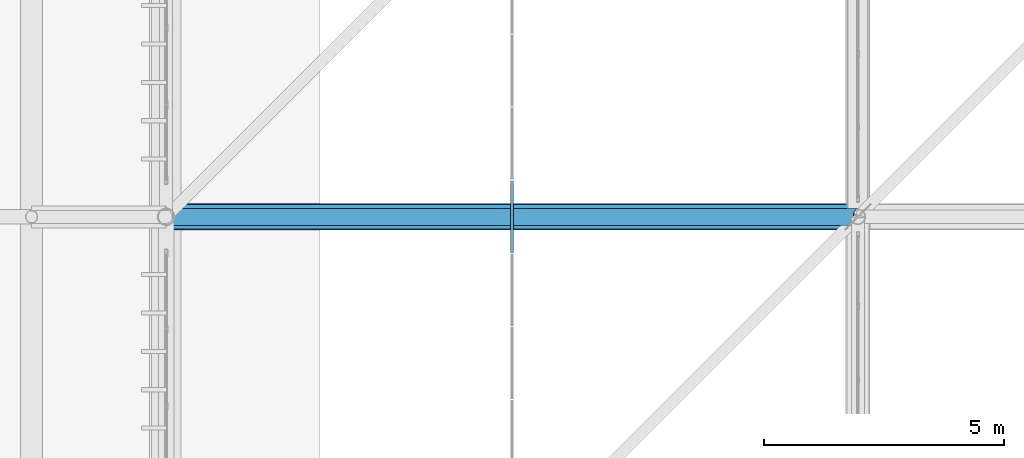
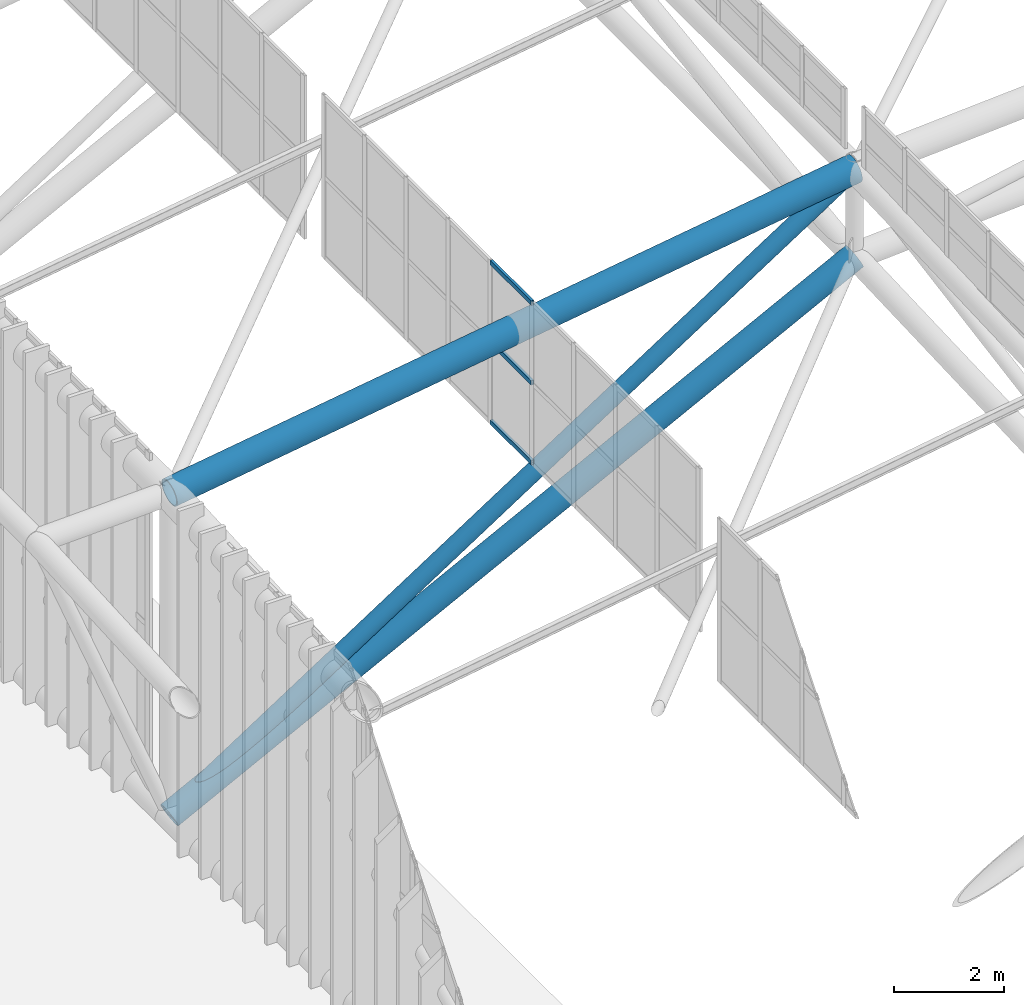
# One storey, part 72 of 397: 4 members, 2 beams, 1 element without a shape of its own.
"""IFC4 building model written with IfcOpenShell, lengths in metres."""

import ifcopenshell
import ifcopenshell.guid

model = None  # the IFC model being written
_history = None  # IfcOwnerHistory: only IFC2X3 demands one
_inside = {}  # id of a spatial element -> (the spatial element, [elements in it])
_under = {}  # id of a project, library or spatial element -> (it, [spatial elements below it])
_declared = {}  # id of a project -> (the project, [libraries it declares])
_typed = {}  # id of a type object -> (the type object, [elements of that type])
_made_of = {}  # id of a material, layer set ... -> (it, [elements and type objects made of it])


def new_model(schema):
    """Start an empty IFC model of exactly this schema.

    Asked for "IFC4X3", IfcOpenShell would pick the latest addendum, in which some entities
    have other attributes; the version numbers below select the first issue.
    IFC2X3 requires an IfcOwnerHistory on every rooted entity: one is made here for all.
    """
    global model, _history
    if schema == "IFC4X3":
        model = ifcopenshell.file(schema_version=(4, 3, 0, 0))
    else:
        model = ifcopenshell.file(schema=schema)
    _inside.clear()
    _under.clear()
    _declared.clear()
    _typed.clear()
    _made_of.clear()
    _history = None
    if model.schema == "IFC2X3":
        org = make("IfcOrganization", Name="unknown")
        user = make(
            "IfcPersonAndOrganization",
            ThePerson=make("IfcPerson", FamilyName="unknown"),
            TheOrganization=org,
        )
        app = make(
            "IfcApplication",
            ApplicationDeveloper=org,
            Version="unknown",
            ApplicationFullName="unknown",
            ApplicationIdentifier="unknown",
        )
        _history = make(
            "IfcOwnerHistory",
            OwningUser=user,
            OwningApplication=app,
            ChangeAction="ADDED",
            CreationDate=0,
        )
    return model


def make(cls, **values):
    """One entity of the class cls with the attributes given. An attribute that is None is left unset."""
    return model.create_entity(
        cls, **{name: value for name, value in values.items() if value is not None}
    )


def rooted(cls, **values):
    """An entity with a GlobalId (a new one), such as an element, a storey or a relation."""
    return make(cls, GlobalId=ifcopenshell.guid.new(), OwnerHistory=_history, **values)


def si_unit(unit_type, name, prefix=None):
    """IfcSIUnit, for example si_unit("LENGTHUNIT", "METRE", prefix="MILLI")."""
    return make("IfcSIUnit", UnitType=unit_type, Prefix=prefix, Name=name)


def assignment(units):
    """IfcUnitAssignment: the units of a project."""
    return None if units is None else make("IfcUnitAssignment", Units=units)


def point(xyz):
    """IfcCartesianPoint."""
    return None if xyz is None else make("IfcCartesianPoint", Coordinates=xyz)


def direction(xyz):
    """IfcDirection."""
    return None if xyz is None else make("IfcDirection", DirectionRatios=xyz)


def frame(location, z_axis=None, x_axis=None):
    """IfcAxis2Placement3D, a coordinate frame: its origin and axes. An axis left out is left unset."""
    return make(
        "IfcAxis2Placement3D",
        Location=point(location),
        Axis=direction(z_axis),
        RefDirection=direction(x_axis),
    )


def frame_2d(location, x_axis=None):
    """IfcAxis2Placement2D, a coordinate frame in the plane: its origin and x axis."""
    return make(
        "IfcAxis2Placement2D", Location=point(location), RefDirection=direction(x_axis)
    )


def origin():
    """The frame at (0, 0, 0) with its axes left unset."""
    return frame((0.0, 0.0, 0.0))


def origin_2d():
    """The frame at (0, 0) in the plane with its x axis left unset."""
    return frame_2d((0.0, 0.0))


def place(relative_to, where):
    """IfcLocalPlacement: puts the frame where relative to a parent placement (None: the world)."""
    return make(
        "IfcLocalPlacement", PlacementRelTo=relative_to, RelativePlacement=where
    )


def context(
    kind, dimensions, precision=None, world=None, true_north=None, identifier=None
):
    """IfcGeometricRepresentationContext, for example the 3D "Model" context."""
    return make(
        "IfcGeometricRepresentationContext",
        ContextIdentifier=identifier,
        ContextType=kind,
        CoordinateSpaceDimension=dimensions,
        Precision=precision,
        WorldCoordinateSystem=world,
        TrueNorth=true_north,
    )


def subcontext(parent, identifier, kind, view, scale=None):
    """IfcGeometricRepresentationSubContext, for example "Body" below "Model"."""
    return make(
        "IfcGeometricRepresentationSubContext",
        ContextIdentifier=identifier,
        ContextType=kind,
        ParentContext=parent,
        TargetScale=scale,
        TargetView=view,
    )


def project(units=None, contexts=None):
    """IfcProject with its units and contexts."""
    return rooted(
        "IfcProject",
        Name="project",
        RepresentationContexts=contexts,
        UnitsInContext=assignment(units),
    )


def spatial(cls, under=None, at=None, **own):
    """A site, building, storey or space (cls), placed at a placement, below another one or the project."""
    s = rooted(cls, ObjectPlacement=at, **own)
    if under is not None:
        _under.setdefault(under.id(), (under, []))[1].append(s)
    return s


def profile(cls, at=None, kind="AREA", **sizes):
    """A parametric profile (cls). Its sizes go by their IFC names, for example OverallWidth=200.0."""
    return make(cls, ProfileType=kind, Position=at, **sizes)


def hollow_rectangle(**sizes):
    """IfcRectangleHollowProfileDef."""
    return profile("IfcRectangleHollowProfileDef", **sizes)


def hollow_circle(**sizes):
    """IfcCircleHollowProfileDef."""
    return profile("IfcCircleHollowProfileDef", **sizes)


def extrude(swept, where, along, depth):
    """IfcExtrudedAreaSolid: the profile swept, set in the frame where, extruded along a direction by depth."""
    return make(
        "IfcExtrudedAreaSolid",
        SweptArea=swept,
        Position=where,
        ExtrudedDirection=direction(along),
        Depth=depth,
    )


def shape(context_of_items, identifier, shape_type, items):
    """IfcShapeRepresentation: the items that make up one representation, for example the "Body"."""
    return make(
        "IfcShapeRepresentation",
        ContextOfItems=context_of_items,
        RepresentationIdentifier=identifier,
        RepresentationType=shape_type,
        Items=items,
    )


def material(Name=None, Category=None):
    """IfcMaterial."""
    return make("IfcMaterial", Name=Name, Category=Category)


def material_profile(
    of_material, cross_section, Name=None, Category=None, Priority=None
):
    """IfcMaterialProfile: a cross section and its material."""
    return make(
        "IfcMaterialProfile",
        Name=Name,
        Material=of_material,
        Profile=cross_section,
        Priority=Priority,
        Category=Category,
    )


def profile_set(profiles, Name=None, composite=None):
    """IfcMaterialProfileSet."""
    return make(
        "IfcMaterialProfileSet",
        Name=Name,
        MaterialProfiles=profiles,
        CompositeProfile=composite,
    )


def made_of(thing, what):
    """Note that an element or type object is made of a material, layer set ...; save() writes the relation."""
    if what is not None:
        _made_of.setdefault(what.id(), (what, []))[1].append(thing)
    return thing


def type_object(cls, material=None, **own):
    """A type object (cls), such as IfcWallType, which elements share."""
    return made_of(rooted(cls, **own), material)


def element(
    cls,
    number,
    at=None,
    inside=None,
    cuts=None,
    type_object=None,
    material=None,
    context=None,
    identifier="Body",
    shape_type=None,
    held_by="IfcProductDefinitionShape",
    body=None,
    shapes=None,
    **own,
):
    """One element of the class cls, such as IfcWall. Its Tag is "e" and its number.

    at: its placement. inside: the storey or other place that contains it. cuts: it is an
    opening in that element (IfcRelVoidsElement). A single representation is given by context,
    identifier, shape_type and body (its items); several are given by shapes. held_by: the class
    of the entity that holds the representations. save() writes the other relations.
    """
    e = rooted(cls, Tag="e%d" % number, ObjectPlacement=at, **own)
    if body is not None:
        shapes = [shape(context, identifier, shape_type, body)]
    if shapes is not None:
        e.Representation = make(held_by, Representations=shapes)
    if inside is not None:
        _inside.setdefault(inside.id(), (inside, []))[1].append(e)
    if cuts is not None:
        rooted(
            "IfcRelVoidsElement", RelatingBuildingElement=cuts, RelatedOpeningElement=e
        )
    if type_object is not None:
        _typed.setdefault(type_object.id(), (type_object, []))[1].append(e)
    return made_of(e, material)


def aggregate(whole, parts):
    """IfcRelAggregates: a whole, such as a stair, and the parts it consists of."""
    return rooted("IfcRelAggregates", RelatingObject=whole, RelatedObjects=parts)


def save(model, path):
    """Write the relations noted so far, then the file.

    IfcRelAggregates (storeys below a building ...), IfcRelContainedInSpatialStructure (elements
    in a storey), IfcRelDefinesByType, IfcRelAssociatesMaterial and IfcRelDeclares: one each for
    every whole, place, type object, material and project.
    """
    for whole, parts in _under.values():
        aggregate(whole, parts)
    for where, things in _inside.values():
        rooted(
            "IfcRelContainedInSpatialStructure",
            RelatedElements=things,
            RelatingStructure=where,
        )
    for kind, things in _typed.values():
        rooted("IfcRelDefinesByType", RelatedObjects=things, RelatingType=kind)
    for what, things in _made_of.values():
        rooted("IfcRelAssociatesMaterial", RelatedObjects=things, RelatingMaterial=what)
    for by, libraries in _declared.values():
        rooted("IfcRelDeclares", RelatingContext=by, RelatedDefinitions=libraries)
    model.write(path)


model = new_model("IFC4")

# Units and contexts
model_context = context("Model", 3, precision=1e-05, world=origin(), true_north=direction((0.0, 1.0)))
body_context = subcontext(model_context, "Body", "Model", "MODEL_VIEW")
ifc_project = project(units=[si_unit("LENGTHUNIT", "METRE"), si_unit("AREAUNIT", "SQUARE_METRE"), si_unit("VOLUMEUNIT", "CUBIC_METRE"), si_unit("PLANEANGLEUNIT", "RADIAN"), si_unit("MASSUNIT", "GRAM", prefix="KILO")], contexts=[model_context])

# Site, building, storey
site_placement = place(None, origin())
site = spatial("IfcSite", under=ifc_project, at=site_placement, CompositionType="ELEMENT")
building_placement = place(site_placement, origin())
building = spatial("IfcBuilding", under=site, at=building_placement, Name="Qandorah Velis Arena", CompositionType="ELEMENT")
storey_placement = place(building_placement, frame((0.0, 0.0, 27.5)))
storey = spatial("IfcBuildingStorey", under=building, at=storey_placement, Name="RF", CompositionType="ELEMENT", Elevation=27.5)

# Curtain wall, members
ifc_material_1 = material(Name="Solar-control low-E double glazing", Category="glass")
curtain_wall_type = type_object("IfcCurtainWallType", Name="ARC-CW-SYS09", PredefinedType="USERDEFINED", material=ifc_material_1)
curtain_wall_placement = place(storey_placement, origin())
curtain_wall = element("IfcCurtainWall", 1, at=curtain_wall_placement, inside=storey, type_object=curtain_wall_type, Name="Unitised curtain wall MON-1-3", ObjectType="UNITISED CURTAIN WALL", PredefinedType="USERDEFINED")
ifc_material_2 = material(Name="Champagne-bronze anodized aluminium 6063-T6", Category="aluminium")
ifc_material_profile_1 = material_profile(ifc_material_2, hollow_rectangle(XDim=0.054931640625, YDim=0.10009765625, WallThickness=0.0029296875, at=origin_2d()), Name="ALU TRANSOM 55x100")
ifc_profile_set_1 = profile_set([ifc_material_profile_1], Name="Champagne-bronze anodized aluminium 6063-T6")
member_type_1 = type_object("IfcMemberType", Name="ARC-CWT-100", PredefinedType="USERDEFINED", material=ifc_profile_set_1)
member_1_placement = place(storey_placement, frame((21.60009765625, 56.8544921875, 5.872802734375), z_axis=(0.0, 1.0, 0.0), x_axis=(-1.0, 0.0, 0.0)))
member_1 = element("IfcMember", 2, at=member_1_placement, type_object=member_type_1, Name="CW09 transom 5.1", ObjectType="TRANSOM", PredefinedType="USERDEFINED", context=body_context, shape_type="SweptSolid", body=[
    extrude(hollow_rectangle(XDim=0.054931640625, YDim=0.10009765625, WallThickness=0.0029296875, at=origin_2d()), origin(), (0.0, 0.0, 1.0), 1.4912109375),
])
member_2_placement = place(storey_placement, frame((21.60009765625, 56.8544921875, 7.645263671875), z_axis=(0.0, 1.0, 0.0), x_axis=(-1.0, 0.0, 0.0)))
member_2 = element("IfcMember", 3, at=member_2_placement, type_object=member_type_1, Name="CW09 transom 5.2", ObjectType="TRANSOM", PredefinedType="USERDEFINED", context=body_context, shape_type="SweptSolid", body=[
    extrude(hollow_rectangle(XDim=0.054931640625, YDim=0.10009765625, WallThickness=0.0029296875, at=origin_2d()), origin(), (0.0, 0.0, 1.0), 1.4912109375),
])
member_3_placement = place(storey_placement, frame((21.60009765625, 56.8544921875, 9.417724609375), z_axis=(0.0, 1.0, 0.0), x_axis=(-1.0, 0.0, 0.0)))
member_3 = element("IfcMember", 4, at=member_3_placement, type_object=member_type_1, Name="CW09 transom 5.3", ObjectType="TRANSOM", PredefinedType="USERDEFINED", context=body_context, shape_type="SweptSolid", body=[
    extrude(hollow_rectangle(XDim=0.054931640625, YDim=0.10009765625, WallThickness=0.0029296875, at=origin_2d()), origin(), (0.0, 0.0, 1.0), 1.4912109375),
])
aggregate(curtain_wall, [member_1, member_2, member_3])

# Beams
ifc_material_3 = material(Name="Steel S355", Category="steel")
ifc_material_profile_2 = material_profile(ifc_material_3, hollow_circle(Radius=0.25390625, WallThickness=0.02490234375, at=origin_2d()), Name="CHS 508x25")
ifc_profile_set_2 = profile_set([ifc_material_profile_2], Name="Steel S355")
beam_type_1 = type_object("IfcBeamType", Name="STR-SFC-CHS508X25", PredefinedType="USERDEFINED", material=ifc_profile_set_2)
beam_1_placement = place(storey_placement, frame((14.39990234375, 57.60009765625, 0.10009765625), z_axis=(0.889858454818, 0.0, 0.456236704341), x_axis=(0.0, 1.0, 0.0)))
element("IfcBeam", 5, at=beam_1_placement, inside=storey, type_object=beam_type_1, Name="Space frame roof truss bottom chord X 0.3", ObjectType="ROOF TRUSS", PredefinedType="USERDEFINED", context=body_context, shape_type="SweptSolid", body=[
    extrude(hollow_circle(Radius=0.25390625, WallThickness=0.02490234375, at=origin_2d()), origin(), (0.0, 0.0, 1.0), 16.1826171875),
])
ifc_material_profile_3 = material_profile(ifc_material_3, hollow_circle(Radius=0.279541015625, WallThickness=0.02490234375, at=origin_2d()), Name="CHS 559x25")
ifc_profile_set_3 = profile_set([ifc_material_profile_3], Name="Steel S355")
beam_type_2 = type_object("IfcBeamType", Name="STR-SFC-CHS559X25", PredefinedType="USERDEFINED", material=ifc_profile_set_3)
beam_2_placement = place(storey_placement, frame((14.39990234375, 57.60009765625, 7.2705078125), z_axis=(0.988910389344, 0.0, 0.148513439954), x_axis=(0.0, 1.0, 0.0)))
element("IfcBeam", 6, at=beam_2_placement, inside=storey, type_object=beam_type_2, Name="Space frame roof truss top chord X 0.3", ObjectType="ROOF TRUSS", PredefinedType="USERDEFINED", context=body_context, shape_type="SweptSolid", body=[
    extrude(hollow_circle(Radius=0.279541015625, WallThickness=0.02490234375, at=origin_2d()), origin(), (0.0, 0.0, 1.0), 14.5615234375),
])

# Member
ifc_material_profile_4 = material_profile(ifc_material_3, hollow_circle(Radius=0.177734375, WallThickness=0.012451171875, at=origin_2d()), Name="CHS 355.6x12.5")
ifc_profile_set_4 = profile_set([ifc_material_profile_4], Name="Steel S355")
member_type_2 = type_object("IfcMemberType", Name="STR-SFD-CHS355X12", PredefinedType="STRUT", material=ifc_profile_set_4)
member_4_placement = place(storey_placement, frame((14.39990234375, 57.60009765625, 0.10009765625), z_axis=(0.839164169573, 0.0, 0.543878200065), x_axis=(0.0, 1.0, 0.0)))
element("IfcMember", 7, at=member_4_placement, inside=storey, type_object=member_type_2, Name="Space frame roof diagonal X 0.3", PredefinedType="STRUT", context=body_context, shape_type="SweptSolid", body=[
    extrude(hollow_circle(Radius=0.177734375, WallThickness=0.012451171875, at=origin_2d()), origin(), (0.0, 0.0, 1.0), 17.16015625),
])

save(model, "model.ifc")
